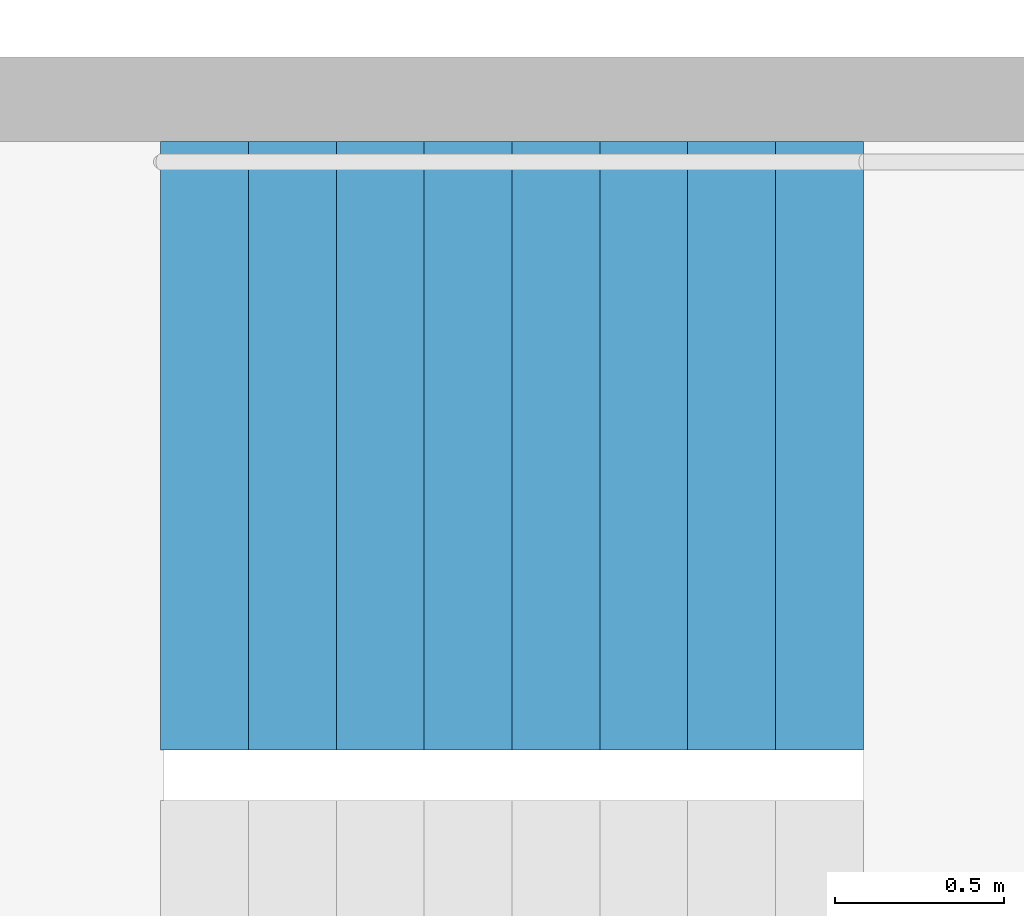
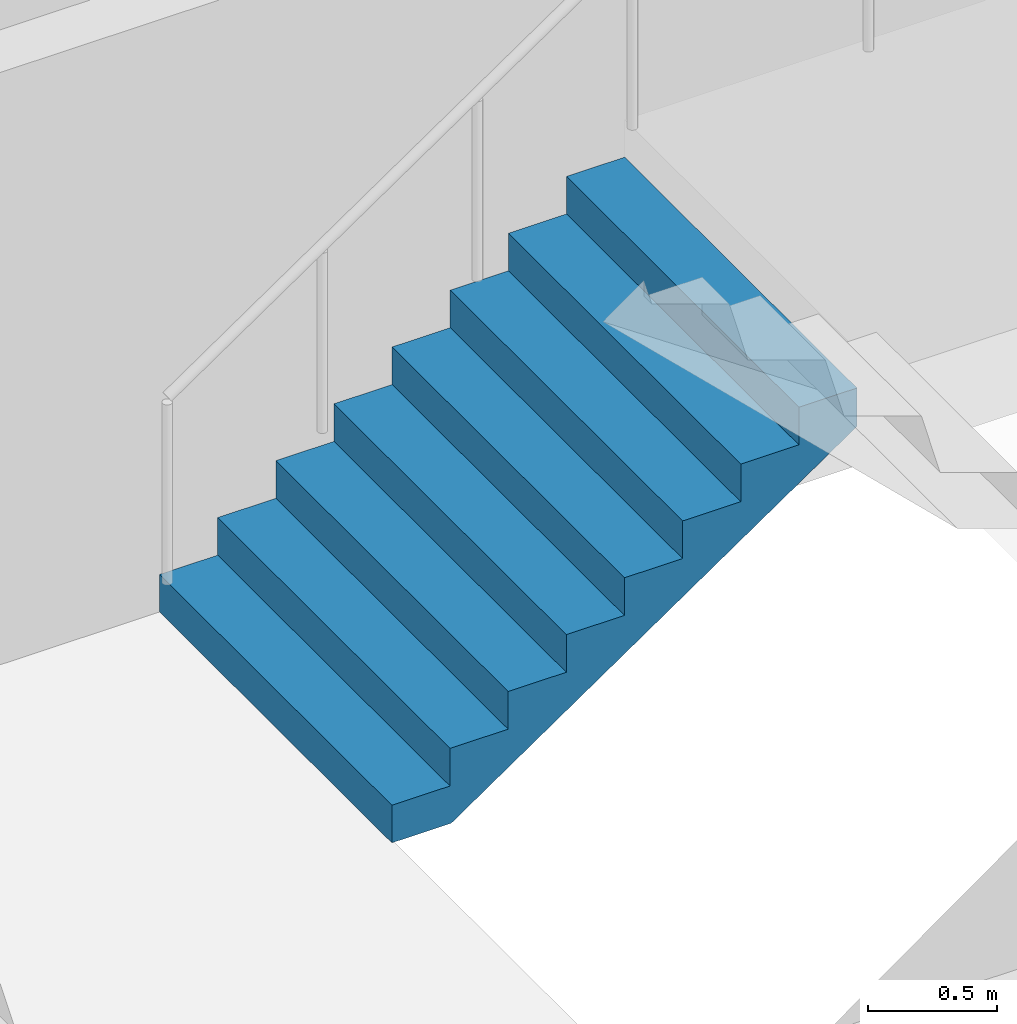
# One storey, part 25 of 28: 1 stair flight, 1 element without a shape of its own.
"""IFC4 building model written with IfcOpenShell, lengths in metres."""

from ifc_helpers import new_model, si_unit, direction, frame, origin, place, context, subcontext, project, spatial, triangles, material, type_object, element, aggregate, save


model = new_model("IFC4")

# Units and contexts
model_context = context("Model", 3, precision=1e-05, world=origin(), true_north=direction((0.0, 1.0)))
body_context = subcontext(model_context, "Body", "Model", "MODEL_VIEW")
ifc_project = project(units=[si_unit("LENGTHUNIT", "METRE"), si_unit("AREAUNIT", "SQUARE_METRE"), si_unit("VOLUMEUNIT", "CUBIC_METRE"), si_unit("PLANEANGLEUNIT", "RADIAN"), si_unit("MASSUNIT", "GRAM", prefix="KILO")], contexts=[model_context])

# Site, building, storey
site_placement = place(None, origin())
site = spatial("IfcSite", under=ifc_project, at=site_placement, CompositionType="ELEMENT")
building_placement = place(site_placement, origin())
building = spatial("IfcBuilding", under=site, at=building_placement, Name="Hakoniwa Tower and Hamabe Station Hall", CompositionType="ELEMENT")
storey_placement = place(building_placement, frame((0.0, 0.0, 32.60009765625)))
storey = spatial("IfcBuildingStorey", under=building, at=storey_placement, Name="L08", CompositionType="ELEMENT", Elevation=32.60009765625)

# Stair, stair flight
ifc_material_1 = material(Name="Concrete C40", Category="concrete")
stair_type = type_object("IfcStairType", Name="ESCAPE STAIR 1800", PredefinedType="HALF_TURN_STAIR", material=ifc_material_1)
stair_placement = place(storey_placement, origin())
stair = element("IfcStair", 1, at=stair_placement, inside=storey, type_object=stair_type, Name="Escape stair ST-4 L08", PredefinedType="HALF_TURN_STAIR")
ifc_material_2 = material(Name="Concrete C40", Category="concrete")
stair_flight_type = type_object("IfcStairFlightType", Name="STAIR FLIGHT 1800", PredefinedType="STRAIGHT", material=ifc_material_2)
stair_flight_placement = place(storey_placement, frame((23.39990234375, -4.64990234375, 0.0), z_axis=(0.0, 0.0, 1.0), x_axis=(1.0, 0.0, 0.0)))
stair_flight = element("IfcStairFlight", 2, at=stair_flight_placement, type_object=stair_flight_type, Name="ST-4 flight 1", NumberOfRisers=9, NumberOfTreads=8, PredefinedType="STRAIGHT", RiserHeight=0.177777778, TreadLength=0.26, context=body_context, shape_type="Tessellation", body=[
    triangles([(0.0, 0.89990234375, 0.0), (0.260009765625, 0.89990234375, 0.0), (0.265625, 0.89990234375, 0.0), (0.52001953125, 0.89990234375, 0.174072265625), (0.780029296875, 0.89990234375, 0.351806640625), (1.0400390625, 0.89990234375, 0.529541015625), (1.300048828125, 0.89990234375, 0.707275390625), (1.56005859375, 0.89990234375, 0.885009765625), (1.820068359375, 0.89990234375, 1.062744140625), (2.080078125, 0.89990234375, 1.24072265625), (2.080078125, 0.89990234375, 1.422119140625), (1.820068359375, 0.89990234375, 1.422119140625), (1.820068359375, 0.89990234375, 1.244384765625), (1.56005859375, 0.89990234375, 1.244384765625), (1.56005859375, 0.89990234375, 1.066650390625), (1.300048828125, 0.89990234375, 1.066650390625), (1.300048828125, 0.89990234375, 0.888916015625), (1.0400390625, 0.89990234375, 0.888916015625), (1.0400390625, 0.89990234375, 0.711181640625), (0.780029296875, 0.89990234375, 0.711181640625), (0.780029296875, 0.89990234375, 0.533447265625), (0.52001953125, 0.89990234375, 0.533447265625), (0.52001953125, 0.89990234375, 0.35546875), (0.265625, 0.89990234375, 0.35546875), (0.260009765625, 0.89990234375, 0.35546875), (0.260009765625, 0.89990234375, 0.177734375), (0.0, 0.89990234375, 0.177734375), (0.0, 0.06005859375, 0.0), (0.260009765625, 0.06005859375, 0.0), (0.265625, 0.06005859375, 0.0), (0.52001953125, 0.06005859375, 0.174072265625), (0.780029296875, 0.06005859375, 0.351806640625), (1.0400390625, 0.06005859375, 0.529541015625), (1.300048828125, 0.06005859375, 0.707275390625), (1.56005859375, 0.06005859375, 0.885009765625), (1.820068359375, 0.06005859375, 1.062744140625), (2.080078125, 0.06005859375, 1.24072265625), (2.080078125, 0.06005859375, 1.422119140625), (1.820068359375, 0.06005859375, 1.422119140625), (1.820068359375, 0.06005859375, 1.244384765625), (1.56005859375, 0.06005859375, 1.244384765625), (1.56005859375, 0.06005859375, 1.066650390625), (1.300048828125, 0.06005859375, 1.066650390625), (1.300048828125, 0.06005859375, 0.888916015625), (1.0400390625, 0.06005859375, 0.888916015625), (1.0400390625, 0.06005859375, 0.711181640625), (0.780029296875, 0.06005859375, 0.711181640625), (0.780029296875, 0.06005859375, 0.533447265625), (0.52001953125, 0.06005859375, 0.533447265625), (0.52001953125, 0.06005859375, 0.35546875), (0.265625, 0.06005859375, 0.35546875), (0.260009765625, 0.06005859375, 0.35546875), (0.260009765625, 0.06005859375, 0.177734375), (0.0, 0.06005859375, 0.177734375), (0.0, 0.04296875, 0.0), (0.260009765625, 0.04296875, 0.0), (0.265625, 0.04296875, 0.0), (0.52001953125, 0.04296875, 0.174072265625), (0.780029296875, 0.04296875, 0.351806640625), (1.0400390625, 0.04296875, 0.529541015625), (1.300048828125, 0.04296875, 0.707275390625), (1.56005859375, 0.04296875, 0.885009765625), (1.820068359375, 0.04296875, 1.062744140625), (2.080078125, 0.04296875, 1.24072265625), (2.080078125, 0.04296875, 1.422119140625), (1.820068359375, 0.04296875, 1.422119140625), (1.820068359375, 0.04296875, 1.244384765625), (1.56005859375, 0.04296875, 1.244384765625), (1.56005859375, 0.04296875, 1.066650390625), (1.300048828125, 0.04296875, 1.066650390625), (1.300048828125, 0.04296875, 0.888916015625), (1.0400390625, 0.04296875, 0.888916015625), (1.0400390625, 0.04296875, 0.711181640625), (0.780029296875, 0.04296875, 0.711181640625), (0.780029296875, 0.04296875, 0.533447265625), (0.52001953125, 0.04296875, 0.533447265625), (0.52001953125, 0.04296875, 0.35546875), (0.265625, 0.04296875, 0.35546875), (0.260009765625, 0.04296875, 0.35546875), (0.260009765625, 0.04296875, 0.177734375), (0.0, 0.04296875, 0.177734375), (0.0, 0.025634765625, 0.0), (0.260009765625, 0.025634765625, 0.0), (0.265625, 0.025634765625, 0.0), (0.52001953125, 0.025634765625, 0.174072265625), (0.780029296875, 0.025634765625, 0.351806640625), (1.0400390625, 0.025634765625, 0.529541015625), (1.300048828125, 0.025634765625, 0.707275390625), (1.56005859375, 0.025634765625, 0.885009765625), (1.820068359375, 0.025634765625, 1.062744140625), (2.080078125, 0.025634765625, 1.24072265625), (2.080078125, 0.025634765625, 1.422119140625), (1.820068359375, 0.025634765625, 1.422119140625), (1.820068359375, 0.025634765625, 1.244384765625), (1.56005859375, 0.025634765625, 1.244384765625), (1.56005859375, 0.025634765625, 1.066650390625), (1.300048828125, 0.025634765625, 1.066650390625), (1.300048828125, 0.025634765625, 0.888916015625), (1.0400390625, 0.025634765625, 0.888916015625), (1.0400390625, 0.025634765625, 0.711181640625), (0.780029296875, 0.025634765625, 0.711181640625), (0.780029296875, 0.025634765625, 0.533447265625), (0.52001953125, 0.025634765625, 0.533447265625), (0.52001953125, 0.025634765625, 0.35546875), (0.265625, 0.025634765625, 0.35546875), (0.260009765625, 0.025634765625, 0.35546875), (0.260009765625, 0.025634765625, 0.177734375), (0.0, 0.025634765625, 0.177734375), (0.0, 0.008544921875, 0.0), (0.260009765625, 0.008544921875, 0.0), (0.265625, 0.008544921875, 0.0), (0.52001953125, 0.008544921875, 0.174072265625), (0.780029296875, 0.008544921875, 0.351806640625), (1.0400390625, 0.008544921875, 0.529541015625), (1.300048828125, 0.008544921875, 0.707275390625), (1.56005859375, 0.008544921875, 0.885009765625), (1.820068359375, 0.008544921875, 1.062744140625), (2.080078125, 0.008544921875, 1.24072265625), (2.080078125, 0.008544921875, 1.422119140625), (1.820068359375, 0.008544921875, 1.422119140625), (1.820068359375, 0.008544921875, 1.244384765625), (1.56005859375, 0.008544921875, 1.244384765625), (1.56005859375, 0.008544921875, 1.066650390625), (1.300048828125, 0.008544921875, 1.066650390625), (1.300048828125, 0.008544921875, 0.888916015625), (1.0400390625, 0.008544921875, 0.888916015625), (1.0400390625, 0.008544921875, 0.711181640625), (0.780029296875, 0.008544921875, 0.711181640625), (0.780029296875, 0.008544921875, 0.533447265625), (0.52001953125, 0.008544921875, 0.533447265625), (0.52001953125, 0.008544921875, 0.35546875), (0.265625, 0.008544921875, 0.35546875), (0.260009765625, 0.008544921875, 0.35546875), (0.260009765625, 0.008544921875, 0.177734375), (0.0, 0.008544921875, 0.177734375), (0.0, -0.008544921875, 0.0), (0.260009765625, -0.008544921875, 0.0), (0.265625, -0.008544921875, 0.0), (0.52001953125, -0.008544921875, 0.174072265625), (0.780029296875, -0.008544921875, 0.351806640625), (1.0400390625, -0.008544921875, 0.529541015625), (1.300048828125, -0.008544921875, 0.707275390625), (1.56005859375, -0.008544921875, 0.885009765625), (1.820068359375, -0.008544921875, 1.062744140625), (2.080078125, -0.008544921875, 1.24072265625), (2.080078125, -0.008544921875, 1.422119140625), (1.820068359375, -0.008544921875, 1.422119140625), (1.820068359375, -0.008544921875, 1.244384765625), (1.56005859375, -0.008544921875, 1.244384765625), (1.56005859375, -0.008544921875, 1.066650390625), (1.300048828125, -0.008544921875, 1.066650390625), (1.300048828125, -0.008544921875, 0.888916015625), (1.0400390625, -0.008544921875, 0.888916015625), (1.0400390625, -0.008544921875, 0.711181640625), (0.780029296875, -0.008544921875, 0.711181640625), (0.780029296875, -0.008544921875, 0.533447265625), (0.52001953125, -0.008544921875, 0.533447265625), (0.52001953125, -0.008544921875, 0.35546875), (0.265625, -0.008544921875, 0.35546875), (0.260009765625, -0.008544921875, 0.35546875), (0.260009765625, -0.008544921875, 0.177734375), (0.0, -0.008544921875, 0.177734375), (0.0, -0.025634765625, 0.0), (0.260009765625, -0.025634765625, 0.0), (0.265625, -0.025634765625, 0.0), (0.52001953125, -0.025634765625, 0.174072265625), (0.780029296875, -0.025634765625, 0.351806640625), (1.0400390625, -0.025634765625, 0.529541015625), (1.300048828125, -0.025634765625, 0.707275390625), (1.56005859375, -0.025634765625, 0.885009765625), (1.820068359375, -0.025634765625, 1.062744140625), (2.080078125, -0.025634765625, 1.24072265625), (2.080078125, -0.025634765625, 1.422119140625), (1.820068359375, -0.025634765625, 1.422119140625), (1.820068359375, -0.025634765625, 1.244384765625), (1.56005859375, -0.025634765625, 1.244384765625), (1.56005859375, -0.025634765625, 1.066650390625), (1.300048828125, -0.025634765625, 1.066650390625), (1.300048828125, -0.025634765625, 0.888916015625), (1.0400390625, -0.025634765625, 0.888916015625), (1.0400390625, -0.025634765625, 0.711181640625), (0.780029296875, -0.025634765625, 0.711181640625), (0.780029296875, -0.025634765625, 0.533447265625), (0.52001953125, -0.025634765625, 0.533447265625), (0.52001953125, -0.025634765625, 0.35546875), (0.265625, -0.025634765625, 0.35546875), (0.260009765625, -0.025634765625, 0.35546875), (0.260009765625, -0.025634765625, 0.177734375), (0.0, -0.025634765625, 0.177734375), (0.0, -0.04296875, 0.0), (0.260009765625, -0.04296875, 0.0), (0.265625, -0.04296875, 0.0), (0.52001953125, -0.04296875, 0.174072265625), (0.780029296875, -0.04296875, 0.351806640625), (1.0400390625, -0.04296875, 0.529541015625), (1.300048828125, -0.04296875, 0.707275390625), (1.56005859375, -0.04296875, 0.885009765625), (1.820068359375, -0.04296875, 1.062744140625), (2.080078125, -0.04296875, 1.24072265625), (2.080078125, -0.04296875, 1.422119140625), (1.820068359375, -0.04296875, 1.422119140625), (1.820068359375, -0.04296875, 1.244384765625), (1.56005859375, -0.04296875, 1.244384765625), (1.56005859375, -0.04296875, 1.066650390625), (1.300048828125, -0.04296875, 1.066650390625), (1.300048828125, -0.04296875, 0.888916015625), (1.0400390625, -0.04296875, 0.888916015625), (1.0400390625, -0.04296875, 0.711181640625), (0.780029296875, -0.04296875, 0.711181640625), (0.780029296875, -0.04296875, 0.533447265625), (0.52001953125, -0.04296875, 0.533447265625), (0.52001953125, -0.04296875, 0.35546875), (0.265625, -0.04296875, 0.35546875), (0.260009765625, -0.04296875, 0.35546875), (0.260009765625, -0.04296875, 0.177734375), (0.0, -0.04296875, 0.177734375), (0.0, -0.06005859375, 0.0), (0.260009765625, -0.06005859375, 0.0), (0.265625, -0.06005859375, 0.0), (0.52001953125, -0.06005859375, 0.174072265625), (0.780029296875, -0.06005859375, 0.351806640625), (1.0400390625, -0.06005859375, 0.529541015625), (1.300048828125, -0.06005859375, 0.707275390625), (1.56005859375, -0.06005859375, 0.885009765625), (1.820068359375, -0.06005859375, 1.062744140625), (2.080078125, -0.06005859375, 1.24072265625), (2.080078125, -0.06005859375, 1.422119140625), (1.820068359375, -0.06005859375, 1.422119140625), (1.820068359375, -0.06005859375, 1.244384765625), (1.56005859375, -0.06005859375, 1.244384765625), (1.56005859375, -0.06005859375, 1.066650390625), (1.300048828125, -0.06005859375, 1.066650390625), (1.300048828125, -0.06005859375, 0.888916015625), (1.0400390625, -0.06005859375, 0.888916015625), (1.0400390625, -0.06005859375, 0.711181640625), (0.780029296875, -0.06005859375, 0.711181640625), (0.780029296875, -0.06005859375, 0.533447265625), (0.52001953125, -0.06005859375, 0.533447265625), (0.52001953125, -0.06005859375, 0.35546875), (0.265625, -0.06005859375, 0.35546875), (0.260009765625, -0.06005859375, 0.35546875), (0.260009765625, -0.06005859375, 0.177734375), (0.0, -0.06005859375, 0.177734375), (0.0, -0.89990234375, 0.0), (0.260009765625, -0.89990234375, 0.0), (0.265625, -0.89990234375, 0.0), (0.52001953125, -0.89990234375, 0.174072265625), (0.780029296875, -0.89990234375, 0.351806640625), (1.0400390625, -0.89990234375, 0.529541015625), (1.300048828125, -0.89990234375, 0.707275390625), (1.56005859375, -0.89990234375, 0.885009765625), (1.820068359375, -0.89990234375, 1.062744140625), (2.080078125, -0.89990234375, 1.24072265625), (2.080078125, -0.89990234375, 1.422119140625), (1.820068359375, -0.89990234375, 1.422119140625), (1.820068359375, -0.89990234375, 1.244384765625), (1.56005859375, -0.89990234375, 1.244384765625), (1.56005859375, -0.89990234375, 1.066650390625), (1.300048828125, -0.89990234375, 1.066650390625), (1.300048828125, -0.89990234375, 0.888916015625), (1.0400390625, -0.89990234375, 0.888916015625), (1.0400390625, -0.89990234375, 0.711181640625), (0.780029296875, -0.89990234375, 0.711181640625), (0.780029296875, -0.89990234375, 0.533447265625), (0.52001953125, -0.89990234375, 0.533447265625), (0.52001953125, -0.89990234375, 0.35546875), (0.265625, -0.89990234375, 0.35546875), (0.260009765625, -0.89990234375, 0.35546875), (0.260009765625, -0.89990234375, 0.177734375), (0.0, -0.89990234375, 0.177734375)], [[2, 27, 26], [245, 269, 270], [2, 1, 27], [245, 270, 244], [3, 25, 24], [246, 267, 268], [3, 26, 25], [246, 268, 269], [3, 2, 26], [246, 269, 245], [4, 24, 23], [247, 266, 267], [4, 3, 24], [247, 267, 246], [5, 22, 21], [248, 264, 265], [5, 23, 22], [248, 265, 266], [5, 4, 23], [248, 266, 247], [6, 20, 19], [249, 262, 263], [6, 21, 20], [249, 263, 264], [6, 5, 21], [249, 264, 248], [7, 18, 17], [250, 260, 261], [7, 19, 18], [250, 261, 262], [7, 6, 19], [250, 262, 249], [8, 16, 15], [251, 258, 259], [8, 17, 16], [251, 259, 260], [8, 7, 17], [251, 260, 250], [9, 14, 13], [252, 256, 257], [9, 15, 14], [252, 257, 258], [9, 8, 15], [252, 258, 251], [10, 12, 11], [253, 254, 255], [10, 13, 12], [253, 255, 256], [10, 9, 13], [253, 256, 252], [1, 2, 29], [1, 29, 28], [28, 29, 56], [28, 56, 55], [55, 56, 83], [55, 83, 82], [82, 83, 110], [82, 110, 109], [109, 110, 137], [109, 137, 136], [136, 137, 164], [136, 164, 163], [163, 164, 191], [163, 191, 190], [190, 191, 218], [190, 218, 217], [217, 218, 245], [217, 245, 244], [2, 3, 30], [2, 30, 29], [29, 30, 57], [29, 57, 56], [56, 57, 84], [56, 84, 83], [83, 84, 111], [83, 111, 110], [110, 111, 138], [110, 138, 137], [137, 138, 165], [137, 165, 164], [164, 165, 192], [164, 192, 191], [191, 192, 219], [191, 219, 218], [218, 219, 246], [218, 246, 245], [3, 4, 31], [3, 31, 30], [30, 31, 58], [30, 58, 57], [57, 58, 85], [57, 85, 84], [84, 85, 112], [84, 112, 111], [111, 112, 139], [111, 139, 138], [138, 139, 166], [138, 166, 165], [165, 166, 193], [165, 193, 192], [192, 193, 220], [192, 220, 219], [219, 220, 247], [219, 247, 246], [4, 5, 32], [4, 32, 31], [31, 32, 59], [31, 59, 58], [58, 59, 86], [58, 86, 85], [85, 86, 113], [85, 113, 112], [112, 113, 140], [112, 140, 139], [139, 140, 167], [139, 167, 166], [166, 167, 194], [166, 194, 193], [193, 194, 221], [193, 221, 220], [220, 221, 248], [220, 248, 247], [5, 6, 33], [5, 33, 32], [32, 33, 60], [32, 60, 59], [59, 60, 87], [59, 87, 86], [86, 87, 114], [86, 114, 113], [113, 114, 141], [113, 141, 140], [140, 141, 168], [140, 168, 167], [167, 168, 195], [167, 195, 194], [194, 195, 222], [194, 222, 221], [221, 222, 249], [221, 249, 248], [6, 7, 34], [6, 34, 33], [33, 34, 61], [33, 61, 60], [60, 61, 88], [60, 88, 87], [87, 88, 115], [87, 115, 114], [114, 115, 142], [114, 142, 141], [141, 142, 169], [141, 169, 168], [168, 169, 196], [168, 196, 195], [195, 196, 223], [195, 223, 222], [222, 223, 250], [222, 250, 249], [7, 8, 35], [7, 35, 34], [34, 35, 62], [34, 62, 61], [61, 62, 89], [61, 89, 88], [88, 89, 116], [88, 116, 115], [115, 116, 143], [115, 143, 142], [142, 143, 170], [142, 170, 169], [169, 170, 197], [169, 197, 196], [196, 197, 224], [196, 224, 223], [223, 224, 251], [223, 251, 250], [8, 9, 36], [8, 36, 35], [35, 36, 63], [35, 63, 62], [62, 63, 90], [62, 90, 89], [89, 90, 117], [89, 117, 116], [116, 117, 144], [116, 144, 143], [143, 144, 171], [143, 171, 170], [170, 171, 198], [170, 198, 197], [197, 198, 225], [197, 225, 224], [224, 225, 252], [224, 252, 251], [9, 10, 37], [9, 37, 36], [36, 37, 64], [36, 64, 63], [63, 64, 91], [63, 91, 90], [90, 91, 118], [90, 118, 117], [117, 118, 145], [117, 145, 144], [144, 145, 172], [144, 172, 171], [171, 172, 199], [171, 199, 198], [198, 199, 226], [198, 226, 225], [225, 226, 253], [225, 253, 252], [10, 11, 38], [10, 38, 37], [37, 38, 65], [37, 65, 64], [64, 65, 92], [64, 92, 91], [91, 92, 119], [91, 119, 118], [118, 119, 146], [118, 146, 145], [145, 146, 173], [145, 173, 172], [172, 173, 200], [172, 200, 199], [199, 200, 227], [199, 227, 226], [226, 227, 254], [226, 254, 253], [11, 12, 39], [11, 39, 38], [38, 39, 66], [38, 66, 65], [65, 66, 93], [65, 93, 92], [92, 93, 120], [92, 120, 119], [119, 120, 147], [119, 147, 146], [146, 147, 174], [146, 174, 173], [173, 174, 201], [173, 201, 200], [200, 201, 228], [200, 228, 227], [227, 228, 255], [227, 255, 254], [12, 13, 40], [12, 40, 39], [39, 40, 67], [39, 67, 66], [66, 67, 94], [66, 94, 93], [93, 94, 121], [93, 121, 120], [120, 121, 148], [120, 148, 147], [147, 148, 175], [147, 175, 174], [174, 175, 202], [174, 202, 201], [201, 202, 229], [201, 229, 228], [228, 229, 256], [228, 256, 255], [13, 14, 41], [13, 41, 40], [40, 41, 68], [40, 68, 67], [67, 68, 95], [67, 95, 94], [94, 95, 122], [94, 122, 121], [121, 122, 149], [121, 149, 148], [148, 149, 176], [148, 176, 175], [175, 176, 203], [175, 203, 202], [202, 203, 230], [202, 230, 229], [229, 230, 257], [229, 257, 256], [14, 15, 42], [14, 42, 41], [41, 42, 69], [41, 69, 68], [68, 69, 96], [68, 96, 95], [95, 96, 123], [95, 123, 122], [122, 123, 150], [122, 150, 149], [149, 150, 177], [149, 177, 176], [176, 177, 204], [176, 204, 203], [203, 204, 231], [203, 231, 230], [230, 231, 258], [230, 258, 257], [15, 16, 43], [15, 43, 42], [42, 43, 70], [42, 70, 69], [69, 70, 97], [69, 97, 96], [96, 97, 124], [96, 124, 123], [123, 124, 151], [123, 151, 150], [150, 151, 178], [150, 178, 177], [177, 178, 205], [177, 205, 204], [204, 205, 232], [204, 232, 231], [231, 232, 259], [231, 259, 258], [16, 17, 44], [16, 44, 43], [43, 44, 71], [43, 71, 70], [70, 71, 98], [70, 98, 97], [97, 98, 125], [97, 125, 124], [124, 125, 152], [124, 152, 151], [151, 152, 179], [151, 179, 178], [178, 179, 206], [178, 206, 205], [205, 206, 233], [205, 233, 232], [232, 233, 260], [232, 260, 259], [17, 18, 45], [17, 45, 44], [44, 45, 72], [44, 72, 71], [71, 72, 99], [71, 99, 98], [98, 99, 126], [98, 126, 125], [125, 126, 153], [125, 153, 152], [152, 153, 180], [152, 180, 179], [179, 180, 207], [179, 207, 206], [206, 207, 234], [206, 234, 233], [233, 234, 261], [233, 261, 260], [18, 19, 46], [18, 46, 45], [45, 46, 73], [45, 73, 72], [72, 73, 100], [72, 100, 99], [99, 100, 127], [99, 127, 126], [126, 127, 154], [126, 154, 153], [153, 154, 181], [153, 181, 180], [180, 181, 208], [180, 208, 207], [207, 208, 235], [207, 235, 234], [234, 235, 262], [234, 262, 261], [19, 20, 47], [19, 47, 46], [46, 47, 74], [46, 74, 73], [73, 74, 101], [73, 101, 100], [100, 101, 128], [100, 128, 127], [127, 128, 155], [127, 155, 154], [154, 155, 182], [154, 182, 181], [181, 182, 209], [181, 209, 208], [208, 209, 236], [208, 236, 235], [235, 236, 263], [235, 263, 262], [20, 21, 48], [20, 48, 47], [47, 48, 75], [47, 75, 74], [74, 75, 102], [74, 102, 101], [101, 102, 129], [101, 129, 128], [128, 129, 156], [128, 156, 155], [155, 156, 183], [155, 183, 182], [182, 183, 210], [182, 210, 209], [209, 210, 237], [209, 237, 236], [236, 237, 264], [236, 264, 263], [21, 22, 49], [21, 49, 48], [48, 49, 76], [48, 76, 75], [75, 76, 103], [75, 103, 102], [102, 103, 130], [102, 130, 129], [129, 130, 157], [129, 157, 156], [156, 157, 184], [156, 184, 183], [183, 184, 211], [183, 211, 210], [210, 211, 238], [210, 238, 237], [237, 238, 265], [237, 265, 264], [22, 23, 50], [22, 50, 49], [49, 50, 77], [49, 77, 76], [76, 77, 104], [76, 104, 103], [103, 104, 131], [103, 131, 130], [130, 131, 158], [130, 158, 157], [157, 158, 185], [157, 185, 184], [184, 185, 212], [184, 212, 211], [211, 212, 239], [211, 239, 238], [238, 239, 266], [238, 266, 265], [23, 24, 51], [23, 51, 50], [50, 51, 78], [50, 78, 77], [77, 78, 105], [77, 105, 104], [104, 105, 132], [104, 132, 131], [131, 132, 159], [131, 159, 158], [158, 159, 186], [158, 186, 185], [185, 186, 213], [185, 213, 212], [212, 213, 240], [212, 240, 239], [239, 240, 267], [239, 267, 266], [24, 25, 52], [24, 52, 51], [51, 52, 79], [51, 79, 78], [78, 79, 106], [78, 106, 105], [105, 106, 133], [105, 133, 132], [132, 133, 160], [132, 160, 159], [159, 160, 187], [159, 187, 186], [186, 187, 214], [186, 214, 213], [213, 214, 241], [213, 241, 240], [240, 241, 268], [240, 268, 267], [25, 26, 53], [25, 53, 52], [52, 53, 80], [52, 80, 79], [79, 80, 107], [79, 107, 106], [106, 107, 134], [106, 134, 133], [133, 134, 161], [133, 161, 160], [160, 161, 188], [160, 188, 187], [187, 188, 215], [187, 215, 214], [214, 215, 242], [214, 242, 241], [241, 242, 269], [241, 269, 268], [26, 27, 54], [26, 54, 53], [53, 54, 81], [53, 81, 80], [80, 81, 108], [80, 108, 107], [107, 108, 135], [107, 135, 134], [134, 135, 162], [134, 162, 161], [161, 162, 189], [161, 189, 188], [188, 189, 216], [188, 216, 215], [215, 216, 243], [215, 243, 242], [242, 243, 270], [242, 270, 269], [27, 1, 28], [27, 28, 54], [54, 28, 55], [54, 55, 81], [81, 55, 82], [81, 82, 108], [108, 82, 109], [108, 109, 135], [135, 109, 136], [135, 136, 162], [162, 136, 163], [162, 163, 189], [189, 163, 190], [189, 190, 216], [216, 190, 217], [216, 217, 243], [243, 217, 244], [243, 244, 270]], closed=True),
])
aggregate(stair, [stair_flight])

save(model, "model.ifc")
